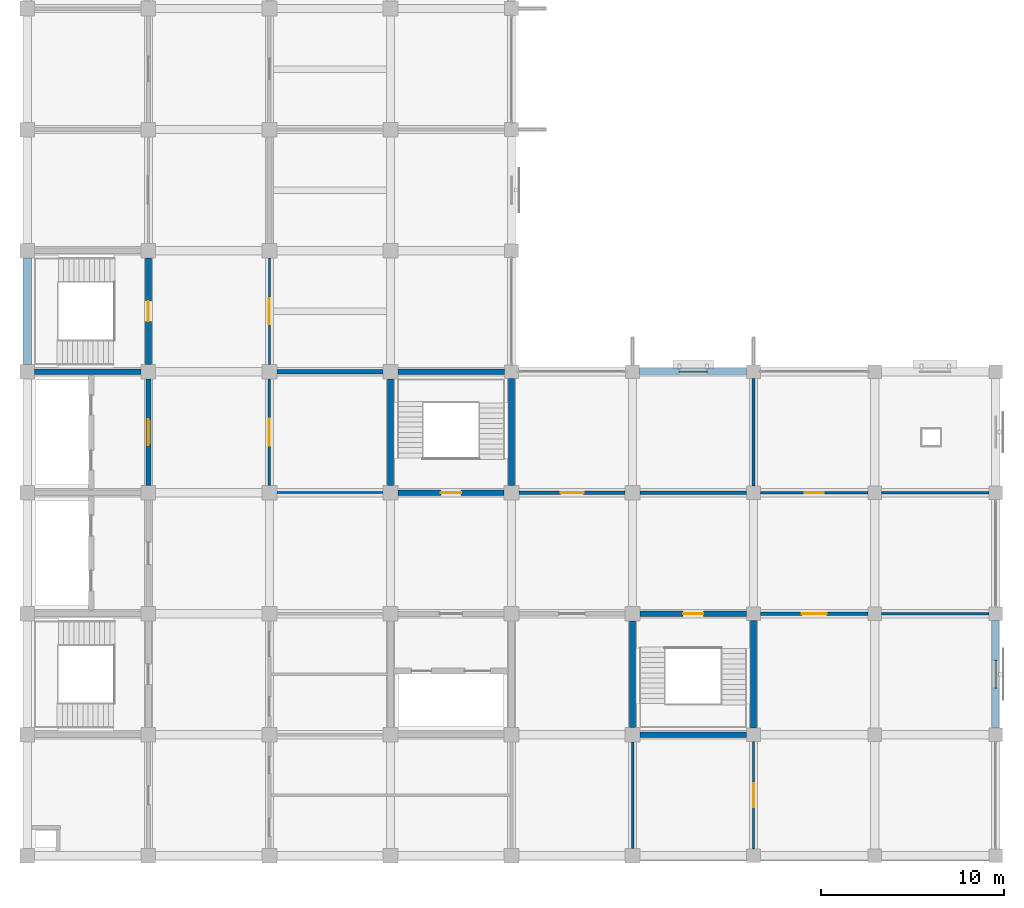
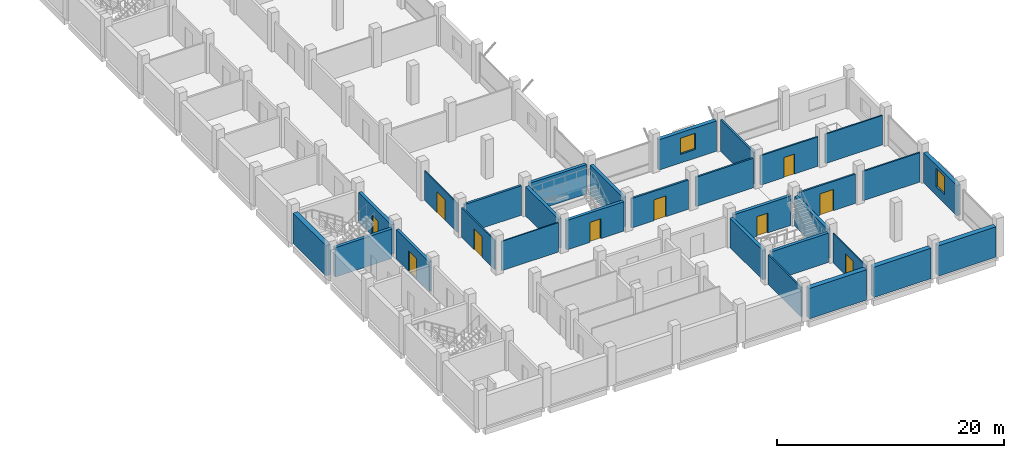
# One storey, part 11 of 18: 30 walls, 10 doors, 2 windows, 12 openings.
"""IFC4 building model written with IfcOpenShell, lengths in metres."""

from ifc_helpers import new_model, si_unit, direction, frame, frame_2d, origin, place, context, subcontext, project, spatial, rectangle, extrude, material, layer, layer_set, type_object, element, fill, save


model = new_model("IFC4")

# Units and contexts
model_context = context("Model", 3, precision=1e-05, world=origin(), true_north=direction((0.0, 1.0)))
body_context = subcontext(model_context, "Body", "Model", "MODEL_VIEW")
ifc_project = project(units=[si_unit("LENGTHUNIT", "METRE"), si_unit("AREAUNIT", "SQUARE_METRE"), si_unit("VOLUMEUNIT", "CUBIC_METRE"), si_unit("PLANEANGLEUNIT", "RADIAN"), si_unit("MASSUNIT", "GRAM", prefix="KILO")], contexts=[model_context])

# Site, building, storey
site_placement = place(None, origin())
site = spatial("IfcSite", under=ifc_project, at=site_placement, CompositionType="ELEMENT")
building_placement = place(site_placement, origin())
building = spatial("IfcBuilding", under=site, at=building_placement, Name="Rusizi Kubbe Research Institute", CompositionType="ELEMENT")
storey_placement = place(building_placement, frame((0.0, 0.0, 22.800048828125)))
storey = spatial("IfcBuildingStorey", under=building, at=storey_placement, Name="L05", CompositionType="ELEMENT", Elevation=22.800048828125)

# Wall
ifc_material_1 = material(Name="Concrete C45/55", Category="concrete")
ifc_layer_1 = layer(ifc_material_1, 0.31494140625)
ifc_layer_set_1 = layer_set([ifc_layer_1], Name="Concrete C45/55")
wall_type_1 = type_object("IfcWallType", Name="CRW-02", PredefinedType="SHEAR", material=ifc_layer_set_1)
wall_1_placement = place(storey_placement, frame((0.39990234375, 26.39990234375, 0.0), z_axis=(0.0, 0.0, 1.0), x_axis=(1.0, 0.0, 0.0)))
element("IfcWall", 1, at=wall_1_placement, inside=storey, type_object=wall_type_1, Name="Stair Core Shear Wall ST2 L05 S", PredefinedType="SHEAR", context=body_context, shape_type="SweptSolid", body=[
    extrude(rectangle(XDim=5.800048828125, YDim=0.31494140625, at=frame_2d((2.89990234375, 0.0))), origin(), (0.0, 0.0, 1.0), 3.169921875),
])

# Wall, opening, door
wall_2_placement = place(storey_placement, frame((6.60009765625, 26.800048828125, 0.0), z_axis=(0.0, 0.0, 1.0), x_axis=(0.0, 1.0, 0.0)))
wall_2 = element("IfcWall", 2, at=wall_2_placement, inside=storey, type_object=wall_type_1, Name="Stair Core Shear Wall ST2 L05 E", PredefinedType="SHEAR", context=body_context, shape_type="SweptSolid", body=[
    extrude(rectangle(XDim=5.800048828125, YDim=0.31494140625, at=frame_2d((2.89990234375, 0.0))), origin(), (0.0, 0.0, 1.0), 3.169921875),
])
opening_1_placement = place(wall_2_placement, frame((2.35009765625, 0.0, 0.0)))
opening_1 = element("IfcOpeningElement", 3, at=opening_1_placement, cuts=wall_2, Name="Opening D-01", PredefinedType="OPENING", context=body_context, shape_type="SweptSolid", body=[
    extrude(rectangle(XDim=1.10009765625, YDim=2.14990234375, at=frame_2d((0.550048828125, 1.074951171875))), frame((0.0, 0.16748046875, 0.0), z_axis=(0.0, -1.0, 0.0), x_axis=(1.0, 0.0, 0.0)), (0.0, 0.0, 1.0), 0.3349609375),
])
ifc_material_2 = material(Name="Fire-Rated Steel Frame and Acoustic Timber Leaf", Category="wood")
door_type_1 = type_object("IfcDoorType", Name="ID-STAIR-110", OperationType="NOTDEFINED", PredefinedType="DOOR", material=ifc_material_2)
door_1_placement = place(opening_1_placement, origin())
door_1 = element("IfcDoor", 4, at=door_1_placement, inside=storey, type_object=door_type_1, Name="Exit Stair Door ST2 L05", OperationType="SINGLE_SWING_LEFT", OverallHeight=2.14990234375, OverallWidth=1.10009765625, PredefinedType="DOOR", context=body_context, shape_type="SweptSolid", body=[
    extrude(rectangle(XDim=1.10009765625, YDim=2.14990234375, at=frame_2d((0.550048828125, 1.074951171875))), frame((0.0, 0.02490234375, 0.0), z_axis=(0.0, -1.0, 0.0), x_axis=(1.0, 0.0, 0.0)), (0.0, 0.0, 1.0), 0.050048828125),
])
fill(opening_1, door_1)

wall_3_placement = place(storey_placement, frame((20.199951171875, 19.800048828125, 0.0), z_axis=(0.0, 0.0, 1.0), x_axis=(1.0, 0.0, 0.0)))
wall_3 = element("IfcWall", 5, at=wall_3_placement, inside=storey, type_object=wall_type_1, Name="Stair Core Shear Wall ST3 L05 S", PredefinedType="SHEAR", context=body_context, shape_type="SweptSolid", body=[
    extrude(rectangle(XDim=5.800048828125, YDim=0.31494140625, at=frame_2d((2.89990234375, 0.0))), origin(), (0.0, 0.0, 1.0), 3.169921875),
])
opening_2_placement = place(wall_3_placement, frame((2.35009765625, 0.0, 0.0)))
opening_2 = element("IfcOpeningElement", 6, at=opening_2_placement, cuts=wall_3, Name="Opening D-01", PredefinedType="OPENING", context=body_context, shape_type="SweptSolid", body=[
    extrude(rectangle(XDim=1.10009765625, YDim=2.14990234375, at=frame_2d((0.550048828125, 1.074951171875))), frame((0.0, 0.16748046875, 0.0), z_axis=(0.0, -1.0, 0.0), x_axis=(1.0, 0.0, 0.0)), (0.0, 0.0, 1.0), 0.3349609375),
])
door_2_placement = place(opening_2_placement, origin())
door_2 = element("IfcDoor", 7, at=door_2_placement, inside=storey, type_object=door_type_1, Name="Exit Stair Door ST3 L05", OperationType="SINGLE_SWING_LEFT", OverallHeight=2.14990234375, OverallWidth=1.10009765625, PredefinedType="DOOR", context=body_context, shape_type="SweptSolid", body=[
    extrude(rectangle(XDim=1.10009765625, YDim=2.14990234375, at=frame_2d((0.550048828125, 1.074951171875))), frame((0.0, 0.02490234375, 0.0), z_axis=(0.0, -1.0, 0.0), x_axis=(1.0, 0.0, 0.0)), (0.0, 0.0, 1.0), 0.050048828125),
])
fill(opening_2, door_2)

# Walls
wall_4_placement = place(storey_placement, frame((20.199951171875, 26.39990234375, 0.0), z_axis=(0.0, 0.0, 1.0), x_axis=(1.0, 0.0, 0.0)))
element("IfcWall", 8, at=wall_4_placement, inside=storey, type_object=wall_type_1, Name="Stair Core Shear Wall ST3 L05 N", PredefinedType="SHEAR", context=body_context, shape_type="SweptSolid", body=[
    extrude(rectangle(XDim=5.824951171875, YDim=0.31494140625, at=frame_2d((2.91259765625, 0.0))), origin(), (0.0, 0.0, 1.0), 3.169921875),
])
wall_5_placement = place(storey_placement, frame((19.800048828125, 20.199951171875, 0.0), z_axis=(0.0, 0.0, 1.0), x_axis=(0.0, 1.0, 0.0)))
element("IfcWall", 9, at=wall_5_placement, inside=storey, type_object=wall_type_1, Name="Stair Core Shear Wall ST3 L05 W", PredefinedType="SHEAR", context=body_context, shape_type="SweptSolid", body=[
    extrude(rectangle(XDim=5.800048828125, YDim=0.31494140625, at=frame_2d((2.89990234375, 0.0))), origin(), (0.0, 0.0, 1.0), 3.169921875),
])
wall_6_placement = place(storey_placement, frame((26.39990234375, 20.199951171875, 0.0), z_axis=(0.0, 0.0, 1.0), x_axis=(0.0, 1.0, 0.0)))
element("IfcWall", 10, at=wall_6_placement, inside=storey, type_object=wall_type_1, Name="Stair Core Shear Wall ST3 L05 E", PredefinedType="SHEAR", context=body_context, shape_type="SweptSolid", body=[
    extrude(rectangle(XDim=5.824951171875, YDim=0.31494140625, at=frame_2d((2.91259765625, 0.0))), origin(), (0.0, 0.0, 1.0), 3.169921875),
])
wall_7_placement = place(storey_placement, frame((33.39990234375, 6.60009765625, 0.0), z_axis=(0.0, 0.0, 1.0), x_axis=(1.0, 0.0, 0.0)))
element("IfcWall", 11, at=wall_7_placement, inside=storey, type_object=wall_type_1, Name="Stair Core Shear Wall ST4 L05 S", PredefinedType="SHEAR", context=body_context, shape_type="SweptSolid", body=[
    extrude(rectangle(XDim=5.8251953125, YDim=0.31494140625, at=frame_2d((2.91259765625, 0.0))), origin(), (0.0, 0.0, 1.0), 3.169921875),
])

# Wall, opening, door
wall_8_placement = place(storey_placement, frame((33.39990234375, 13.199951171875, 0.0), z_axis=(0.0, 0.0, 1.0), x_axis=(1.0, 0.0, 0.0)))
wall_8 = element("IfcWall", 12, at=wall_8_placement, inside=storey, type_object=wall_type_1, Name="Stair Core Shear Wall ST4 L05 N", PredefinedType="SHEAR", context=body_context, shape_type="SweptSolid", body=[
    extrude(rectangle(XDim=5.8251953125, YDim=0.31494140625, at=frame_2d((2.91259765625, 0.0))), origin(), (0.0, 0.0, 1.0), 3.169921875),
])
opening_3_placement = place(wall_8_placement, frame((2.362548828125, 0.0, 0.0)))
opening_3 = element("IfcOpeningElement", 13, at=opening_3_placement, cuts=wall_8, Name="Opening D-01", PredefinedType="OPENING", context=body_context, shape_type="SweptSolid", body=[
    extrude(rectangle(XDim=1.10009765625, YDim=2.14990234375, at=frame_2d((0.550048828125, 1.074951171875))), frame((0.0, 0.16748046875, 0.0), z_axis=(0.0, -1.0, 0.0), x_axis=(1.0, 0.0, 0.0)), (0.0, 0.0, 1.0), 0.3349609375),
])
door_3_placement = place(opening_3_placement, origin())
door_3 = element("IfcDoor", 14, at=door_3_placement, inside=storey, type_object=door_type_1, Name="Exit Stair Door ST4 L05", OperationType="SINGLE_SWING_LEFT", OverallHeight=2.14990234375, OverallWidth=1.10009765625, PredefinedType="DOOR", context=body_context, shape_type="SweptSolid", body=[
    extrude(rectangle(XDim=1.10009765625, YDim=2.14990234375, at=frame_2d((0.550048828125, 1.074951171875))), frame((0.0, 0.02490234375, 0.0), z_axis=(0.0, -1.0, 0.0), x_axis=(1.0, 0.0, 0.0)), (0.0, 0.0, 1.0), 0.050048828125),
])
fill(opening_3, door_3)

# Walls
wall_9_placement = place(storey_placement, frame((33.0, 7.0, 0.0), z_axis=(0.0, 0.0, 1.0), x_axis=(0.0, 1.0, 0.0)))
element("IfcWall", 15, at=wall_9_placement, inside=storey, type_object=wall_type_1, Name="Stair Core Shear Wall ST4 L05 W", PredefinedType="SHEAR", context=body_context, shape_type="SweptSolid", body=[
    extrude(rectangle(XDim=5.800048828125, YDim=0.31494140625, at=frame_2d((2.89990234375, 0.0))), origin(), (0.0, 0.0, 1.0), 3.169921875),
])
wall_10_placement = place(storey_placement, frame((39.60009765625, 6.97509765625, 0.0), z_axis=(0.0, 0.0, 1.0), x_axis=(0.0, 1.0, 0.0)))
element("IfcWall", 16, at=wall_10_placement, inside=storey, type_object=wall_type_1, Name="Stair Core Shear Wall ST4 L05 E", PredefinedType="SHEAR", context=body_context, shape_type="SweptSolid", body=[
    extrude(rectangle(XDim=5.849853515625, YDim=0.31494140625, at=frame_2d((2.9248046875, 0.0))), origin(), (0.0, 0.0, 1.0), 3.169921875),
])

# Wall, opening, window
ifc_material_3 = material(Name="Volcanic Basalt Ashlar Masonry", Category="masonry")
ifc_layer_2 = layer(ifc_material_3, 0.385009765625)
ifc_layer_set_2 = layer_set([ifc_layer_2], Name="Volcanic Basalt Ashlar Masonry")
wall_type_2 = type_object("IfcWallType", Name="EW-04", PredefinedType="SOLIDWALL", material=ifc_layer_set_2)
wall_11_placement = place(storey_placement, frame((33.375, 26.39990234375, 0.0), z_axis=(0.0, 0.0, 1.0), x_axis=(1.0, 0.0, 0.0)))
wall_11 = element("IfcWall", 17, at=wall_11_placement, inside=storey, type_object=wall_type_2, Name="Ablaq Stone Exterior Wall L05 H5-4", PredefinedType="SOLIDWALL", context=body_context, shape_type="SweptSolid", body=[
    extrude(rectangle(XDim=5.85009765625, YDim=0.385009765625, at=frame_2d((2.925048828125, 0.0))), origin(), (0.0, 0.0, 1.0), 3.27001953125),
])
opening_4_placement = place(wall_11_placement, frame((2.1650390625, 0.0, 0.949951171875)))
opening_4 = element("IfcOpeningElement", 18, at=opening_4_placement, cuts=wall_11, Name="Opening WN-19", PredefinedType="OPENING", context=body_context, shape_type="SweptSolid", body=[
    extrude(rectangle(XDim=1.52001953125, YDim=1.739990234375, at=frame_2d((0.760009765625, 0.8701171875))), frame((0.0, 0.202392578125, 0.0), z_axis=(0.0, -1.0, 0.0), x_axis=(1.0, 0.0, 0.0)), (0.0, 0.0, 1.0), 0.405029296875),
])
ifc_material_4 = material(Name="Aluminium Frame and Solar-Control Double Glazing", Category="glass")
window_type_1 = type_object("IfcWindowType", Name="WN-19", PartitioningType="DOUBLE_PANEL_VERTICAL", PredefinedType="WINDOW", material=ifc_material_4)
window_1_placement = place(opening_4_placement, origin())
window_1 = element("IfcWindow", 19, at=window_1_placement, inside=storey, type_object=window_type_1, Name="Casement Window WN-19 L05", OverallHeight=1.739990234375, OverallWidth=1.52001953125, PartitioningType="DOUBLE_PANEL_VERTICAL", PredefinedType="WINDOW", context=body_context, shape_type="SweptSolid", body=[
    extrude(rectangle(XDim=1.52001953125, YDim=1.739990234375, at=frame_2d((0.760009765625, 0.8701171875))), frame((0.0, 0.030029296875, 0.0), z_axis=(0.0, -1.0, 0.0), x_axis=(1.0, 0.0, 0.0)), (0.0, 0.0, 1.0), 0.06005859375),
])
fill(opening_4, window_1)

wall_12_placement = place(storey_placement, frame((52.800048828125, 6.97509765625, 0.0), z_axis=(0.0, 0.0, 1.0), x_axis=(0.0, 1.0, 0.0)))
wall_12 = element("IfcWall", 20, at=wall_12_placement, inside=storey, type_object=wall_type_2, Name="Ablaq Stone Exterior Wall L05 V8-1", PredefinedType="SOLIDWALL", context=body_context, shape_type="SweptSolid", body=[
    extrude(rectangle(XDim=5.849853515625, YDim=0.385009765625, at=frame_2d((2.9248046875, 0.0))), origin(), (0.0, 0.0, 1.0), 3.27001953125),
])
opening_5_placement = place(wall_12_placement, frame((2.1650390625, 0.0, 0.949951171875)))
opening_5 = element("IfcOpeningElement", 21, at=opening_5_placement, cuts=wall_12, Name="Opening WN-20", PredefinedType="OPENING", context=body_context, shape_type="SweptSolid", body=[
    extrude(rectangle(XDim=1.52001953125, YDim=1.9599609375, at=frame_2d((0.760009765625, 0.97998046875))), frame((0.0, 0.202392578125, 0.0), z_axis=(0.0, -1.0, 0.0), x_axis=(1.0, 0.0, 0.0)), (0.0, 0.0, 1.0), 0.405029296875),
])
ifc_material_5 = material(Name="Aluminium Frame and Solar-Control Double Glazing", Category="glass")
window_type_2 = type_object("IfcWindowType", Name="WN-20", PartitioningType="DOUBLE_PANEL_VERTICAL", PredefinedType="WINDOW", material=ifc_material_5)
window_2_placement = place(opening_5_placement, origin())
window_2 = element("IfcWindow", 22, at=window_2_placement, inside=storey, type_object=window_type_2, Name="Casement Window WN-20 L05", OverallHeight=1.9599609375, OverallWidth=1.52001953125, PartitioningType="DOUBLE_PANEL_VERTICAL", PredefinedType="WINDOW", context=body_context, shape_type="SweptSolid", body=[
    extrude(rectangle(XDim=1.52001953125, YDim=1.9599609375, at=frame_2d((0.760009765625, 0.97998046875))), frame((0.0, 0.030029296875, 0.0), z_axis=(0.0, -1.0, 0.0), x_axis=(1.0, 0.0, 0.0)), (0.0, 0.0, 1.0), 0.06005859375),
])
fill(opening_5, window_2)

# Wall
ifc_material_6 = material(Name="Concrete Blockwork Fire Partition", Category="masonry")
ifc_layer_3 = layer(ifc_material_6, 0.22509765625)
ifc_layer_set_3 = layer_set([ifc_layer_3], Name="Concrete Blockwork Fire Partition")
wall_type_3 = type_object("IfcWallType", Name="IW-01", PredefinedType="PARTITIONING", material=ifc_layer_set_3)
wall_13_placement = place(storey_placement, frame((13.60009765625, 26.39990234375, 0.0), z_axis=(0.0, 0.0, 1.0), x_axis=(1.0, 0.0, 0.0)))
element("IfcWall", 23, at=wall_13_placement, inside=storey, type_object=wall_type_3, Name="Interior Partition Wall L05 H2-4", PredefinedType="PARTITIONING", context=body_context, shape_type="SweptSolid", body=[
    extrude(rectangle(XDim=5.7998046875, YDim=0.22509765625, at=frame_2d((2.89990234375, 0.0))), origin(), (0.0, 0.0, 1.0), 3.169921875),
])

# Wall, opening, door
ifc_material_7 = material(Name="Insulated Cleanroom Partition", Category="masonry")
ifc_layer_4 = layer(ifc_material_7, 0.195068359375)
ifc_layer_set_4 = layer_set([ifc_layer_4], Name="Insulated Cleanroom Partition")
wall_type_4 = type_object("IfcWallType", Name="IW-02", PredefinedType="PARTITIONING", material=ifc_layer_set_4)
wall_14_placement = place(storey_placement, frame((26.800048828125, 19.800048828125, 0.0), z_axis=(0.0, 0.0, 1.0), x_axis=(1.0, 0.0, 0.0)))
wall_14 = element("IfcWall", 24, at=wall_14_placement, inside=storey, type_object=wall_type_4, Name="Interior Partition Wall L05 H4-3", PredefinedType="PARTITIONING", context=body_context, shape_type="SweptSolid", body=[
    extrude(rectangle(XDim=5.800048828125, YDim=0.195068359375, at=frame_2d((2.89990234375, 0.0))), origin(), (0.0, 0.0, 1.0), 3.169921875),
])
opening_6_placement = place(wall_14_placement, frame((2.27490234375, 0.0, 0.0)))
opening_6 = element("IfcOpeningElement", 25, at=opening_6_placement, cuts=wall_14, Name="Opening D-15", PredefinedType="OPENING", context=body_context, shape_type="SweptSolid", body=[
    extrude(rectangle(XDim=1.25, YDim=2.25, at=frame_2d((0.625, 1.125))), frame((0.0, 0.107421875, 0.0), z_axis=(0.0, -1.0, 0.0), x_axis=(1.0, 0.0, 0.0)), (0.0, 0.0, 1.0), 0.215087890625),
])
ifc_material_8 = material(Name="Fire-Rated Steel Frame and Acoustic Timber Leaf", Category="wood")
door_type_2 = type_object("IfcDoorType", Name="ID-LAB-125", OperationType="NOTDEFINED", PredefinedType="DOOR", material=ifc_material_8)
door_4_placement = place(opening_6_placement, origin())
door_4 = element("IfcDoor", 26, at=door_4_placement, inside=storey, type_object=door_type_2, Name="Door to Molecular Diagnostics Laboratory (L05-EWN-01)", OperationType="SINGLE_SWING_LEFT", OverallHeight=2.25, OverallWidth=1.25, PredefinedType="DOOR", context=body_context, shape_type="SweptSolid", body=[
    extrude(rectangle(XDim=1.25, YDim=2.25, at=frame_2d((0.625, 1.125))), frame((0.0, 0.02490234375, 0.0), z_axis=(0.0, -1.0, 0.0), x_axis=(1.0, 0.0, 0.0)), (0.0, 0.0, 1.0), 0.050048828125),
])
fill(opening_6, door_4)

# Walls
ifc_material_9 = material(Name="Acoustic Laboratory Partition", Category="masonry")
ifc_layer_5 = layer(ifc_material_9, 0.175048828125)
ifc_layer_set_5 = layer_set([ifc_layer_5], Name="Acoustic Laboratory Partition")
wall_type_5 = type_object("IfcWallType", Name="IW-03", PredefinedType="PARTITIONING", material=ifc_layer_set_5)
wall_15_placement = place(storey_placement, frame((33.39990234375, 19.800048828125, 0.0), z_axis=(0.0, 0.0, 1.0), x_axis=(1.0, 0.0, 0.0)))
element("IfcWall", 27, at=wall_15_placement, inside=storey, type_object=wall_type_5, Name="Interior Partition Wall L05 H5-3", PredefinedType="PARTITIONING", context=body_context, shape_type="SweptSolid", body=[
    extrude(rectangle(XDim=5.8251953125, YDim=0.175048828125, at=frame_2d((2.91259765625, 0.0))), origin(), (0.0, 0.0, 1.0), 3.169921875),
])
wall_16_placement = place(storey_placement, frame((39.60009765625, 20.175048828125, 0.0), z_axis=(0.0, 0.0, 1.0), x_axis=(0.0, 1.0, 0.0)))
element("IfcWall", 28, at=wall_16_placement, inside=storey, type_object=wall_type_5, Name="Interior Partition Wall L05 V6-3", PredefinedType="PARTITIONING", context=body_context, shape_type="SweptSolid", body=[
    extrude(rectangle(XDim=5.849853515625, YDim=0.175048828125, at=frame_2d((2.9248046875, 0.0))), origin(), (0.0, 0.0, 1.0), 3.419921875),
])

# Wall, opening, door
wall_17_placement = place(storey_placement, frame((39.97509765625, 13.199951171875, 0.0), z_axis=(0.0, 0.0, 1.0), x_axis=(1.0, 0.0, 0.0)))
wall_17 = element("IfcWall", 29, at=wall_17_placement, inside=storey, type_object=wall_type_5, Name="Interior Partition Wall L05 H6-2", PredefinedType="PARTITIONING", context=body_context, shape_type="SweptSolid", body=[
    extrude(rectangle(XDim=5.849853515625, YDim=0.175048828125, at=frame_2d((2.9248046875, 0.0))), origin(), (0.0, 0.0, 1.0), 3.169921875),
])
opening_7_placement = place(wall_17_placement, frame((2.25, 0.0, 0.0)))
opening_7 = element("IfcOpeningElement", 30, at=opening_7_placement, cuts=wall_17, Name="Opening D-13", PredefinedType="OPENING", context=body_context, shape_type="SweptSolid", body=[
    extrude(rectangle(XDim=1.35009765625, YDim=2.300048828125, at=frame_2d((0.675048828125, 1.14990234375))), frame((0.0, 0.097412109375, 0.0), z_axis=(0.0, -1.0, 0.0), x_axis=(1.0, 0.0, 0.0)), (0.0, 0.0, 1.0), 0.195068359375),
])
ifc_material_10 = material(Name="Fire-Rated Steel Frame and Acoustic Timber Leaf", Category="wood")
door_type_3 = type_object("IfcDoorType", Name="ID-LAB-135", OperationType="NOTDEFINED", PredefinedType="DOOR", material=ifc_material_10)
door_5_placement = place(opening_7_placement, origin())
door_5 = element("IfcDoor", 31, at=door_5_placement, inside=storey, type_object=door_type_3, Name="Door to Catalysis Wet Laboratory (L05-EWS-02)", OperationType="SINGLE_SWING_LEFT", OverallHeight=2.300048828125, OverallWidth=1.35009765625, PredefinedType="DOOR", context=body_context, shape_type="SweptSolid", body=[
    extrude(rectangle(XDim=1.35009765625, YDim=2.300048828125, at=frame_2d((0.675048828125, 1.14990234375))), frame((0.0, 0.02490234375, 0.0), z_axis=(0.0, -1.0, 0.0), x_axis=(1.0, 0.0, 0.0)), (0.0, 0.0, 1.0), 0.050048828125),
])
fill(opening_7, door_5)

ifc_material_11 = material(Name="Fire-Rated Corridor Partition", Category="masonry")
ifc_layer_6 = layer(ifc_material_11, 0.155029296875)
ifc_layer_set_6 = layer_set([ifc_layer_6], Name="Fire-Rated Corridor Partition")
wall_type_6 = type_object("IfcWallType", Name="IW-04", PredefinedType="PARTITIONING", material=ifc_layer_set_6)
wall_18_placement = place(storey_placement, frame((39.97509765625, 19.800048828125, 0.0), z_axis=(0.0, 0.0, 1.0), x_axis=(1.0, 0.0, 0.0)))
wall_18 = element("IfcWall", 32, at=wall_18_placement, inside=storey, type_object=wall_type_6, Name="Interior Partition Wall L05 H6-3", PredefinedType="PARTITIONING", context=body_context, shape_type="SweptSolid", body=[
    extrude(rectangle(XDim=5.849853515625, YDim=0.155029296875, at=frame_2d((2.9248046875, 0.0))), origin(), (0.0, 0.0, 1.0), 3.169921875),
])
opening_8_placement = place(wall_18_placement, frame((2.39990234375, 0.0, 0.0)))
opening_8 = element("IfcOpeningElement", 33, at=opening_8_placement, cuts=wall_18, Name="Opening D-16", PredefinedType="OPENING", context=body_context, shape_type="SweptSolid", body=[
    extrude(rectangle(XDim=1.050048828125, YDim=2.14990234375, at=frame_2d((0.52490234375, 1.074951171875))), frame((0.0, 0.08740234375, 0.0), z_axis=(0.0, -1.0, 0.0), x_axis=(1.0, 0.0, 0.0)), (0.0, 0.0, 1.0), 0.175048828125),
])
ifc_material_12 = material(Name="Fire-Rated Steel Frame and Acoustic Timber Leaf", Category="wood")
door_type_4 = type_object("IfcDoorType", Name="ID-OFF-105", OperationType="NOTDEFINED", PredefinedType="DOOR", material=ifc_material_12)
door_6_placement = place(opening_8_placement, origin())
door_6 = element("IfcDoor", 34, at=door_6_placement, inside=storey, type_object=door_type_4, Name="Door to Write-up Office (L05-EWN-02)", OperationType="SINGLE_SWING_LEFT", OverallHeight=2.14990234375, OverallWidth=1.050048828125, PredefinedType="DOOR", context=body_context, shape_type="SweptSolid", body=[
    extrude(rectangle(XDim=1.050048828125, YDim=2.14990234375, at=frame_2d((0.52490234375, 1.074951171875))), frame((0.0, 0.02490234375, 0.0), z_axis=(0.0, -1.0, 0.0), x_axis=(1.0, 0.0, 0.0)), (0.0, 0.0, 1.0), 0.050048828125),
])
fill(opening_8, door_6)

# Wall
wall_19_placement = place(storey_placement, frame((46.574951171875, 13.199951171875, 0.0), z_axis=(0.0, 0.0, 1.0), x_axis=(1.0, 0.0, 0.0)))
element("IfcWall", 35, at=wall_19_placement, inside=storey, type_object=wall_type_6, Name="Interior Partition Wall L05 H7-2", PredefinedType="PARTITIONING", context=body_context, shape_type="SweptSolid", body=[
    extrude(rectangle(XDim=5.85009765625, YDim=0.155029296875, at=frame_2d((2.925048828125, 0.0))), origin(), (0.0, 0.0, 1.0), 3.169921875),
])

# Wall, opening, door
ifc_material_13 = material(Name="Write-up Glazed Acoustic Partition", Category="masonry")
ifc_layer_7 = layer(ifc_material_13, 0.139892578125)
ifc_layer_set_7 = layer_set([ifc_layer_7], Name="Write-up Glazed Acoustic Partition")
wall_type_7 = type_object("IfcWallType", Name="IW-05", PredefinedType="PARTITIONING", material=ifc_layer_set_7)
wall_20_placement = place(storey_placement, frame((13.199951171875, 20.199951171875, 0.0), z_axis=(0.0, 0.0, 1.0), x_axis=(0.0, 1.0, 0.0)))
wall_20 = element("IfcWall", 36, at=wall_20_placement, inside=storey, type_object=wall_type_7, Name="Interior Partition Wall L05 V2-3", PredefinedType="PARTITIONING", context=body_context, shape_type="SweptSolid", body=[
    extrude(rectangle(XDim=5.800048828125, YDim=0.139892578125, at=frame_2d((2.89990234375, 0.0))), origin(), (0.0, 0.0, 1.0), 3.169921875),
])
opening_9_placement = place(wall_20_placement, frame((2.175048828125, 0.0, 0.0)))
opening_9 = element("IfcOpeningElement", 37, at=opening_9_placement, cuts=wall_20, Name="Opening D-11", PredefinedType="OPENING", context=body_context, shape_type="SweptSolid", body=[
    extrude(rectangle(XDim=1.449951171875, YDim=2.25, at=frame_2d((0.72509765625, 1.125))), frame((0.0, 0.079833984375, 0.0), z_axis=(0.0, -1.0, 0.0), x_axis=(1.0, 0.0, 0.0)), (0.0, 0.0, 1.0), 0.159912109375),
])
ifc_material_14 = material(Name="Fire-Rated Steel Frame and Acoustic Timber Leaf", Category="wood")
door_type_5 = type_object("IfcDoorType", Name="ID-LAB-145", OperationType="NOTDEFINED", PredefinedType="DOOR", material=ifc_material_14)
door_7_placement = place(opening_9_placement, origin())
door_7 = element("IfcDoor", 38, at=door_7_placement, inside=storey, type_object=door_type_5, Name="Door to Bioscience Wet Laboratory (L05-NW-01)", OperationType="SINGLE_SWING_LEFT", OverallHeight=2.25, OverallWidth=1.449951171875, PredefinedType="DOOR", context=body_context, shape_type="SweptSolid", body=[
    extrude(rectangle(XDim=1.449951171875, YDim=2.25, at=frame_2d((0.72509765625, 1.125))), frame((0.0, 0.02490234375, 0.0), z_axis=(0.0, -1.0, 0.0), x_axis=(1.0, 0.0, 0.0)), (0.0, 0.0, 1.0), 0.050048828125),
])
fill(opening_9, door_7)

# Walls
wall_21_placement = place(storey_placement, frame((33.0, 0.39990234375, 0.0), z_axis=(0.0, 0.0, 1.0), x_axis=(0.0, 1.0, 0.0)))
element("IfcWall", 39, at=wall_21_placement, inside=storey, type_object=wall_type_7, Name="Interior Partition Wall L05 V5-0", PredefinedType="PARTITIONING", context=body_context, shape_type="SweptSolid", body=[
    extrude(rectangle(XDim=5.800048828125, YDim=0.139892578125, at=frame_2d((2.89990234375, 0.0))), origin(), (0.0, 0.0, 1.0), 3.169921875),
])
wall_22_placement = place(storey_placement, frame((46.574951171875, 19.800048828125, 0.0), z_axis=(0.0, 0.0, 1.0), x_axis=(1.0, 0.0, 0.0)))
element("IfcWall", 40, at=wall_22_placement, inside=storey, type_object=wall_type_7, Name="Interior Partition Wall L05 H7-3", PredefinedType="PARTITIONING", context=body_context, shape_type="SweptSolid", body=[
    extrude(rectangle(XDim=5.85009765625, YDim=0.139892578125, at=frame_2d((2.925048828125, 0.0))), origin(), (0.0, 0.0, 1.0), 3.169921875),
])

# Wall, opening, door
ifc_material_15 = material(Name="Sub-Suite Fire Partition", Category="masonry")
ifc_layer_8 = layer(ifc_material_15, 0.110107421875)
ifc_layer_set_8 = layer_set([ifc_layer_8], Name="Sub-Suite Fire Partition")
wall_type_8 = type_object("IfcWallType", Name="IW-07", PredefinedType="PARTITIONING", material=ifc_layer_set_8)
wall_23_placement = place(storey_placement, frame((13.199951171875, 26.800048828125, 0.0), z_axis=(0.0, 0.0, 1.0), x_axis=(0.0, 1.0, 0.0)))
wall_23 = element("IfcWall", 41, at=wall_23_placement, inside=storey, type_object=wall_type_8, Name="Interior Partition Wall L05 V2-4", PredefinedType="PARTITIONING", context=body_context, shape_type="SweptSolid", body=[
    extrude(rectangle(XDim=5.800048828125, YDim=0.110107421875, at=frame_2d((2.89990234375, 0.0))), origin(), (0.0, 0.0, 1.0), 3.169921875),
])
opening_10_placement = place(wall_23_placement, frame((2.199951171875, 0.0, 0.0)))
opening_10 = element("IfcOpeningElement", 42, at=opening_10_placement, cuts=wall_23, Name="Opening D-12", PredefinedType="OPENING", context=body_context, shape_type="SweptSolid", body=[
    extrude(rectangle(XDim=1.39990234375, YDim=2.25, at=frame_2d((0.699951171875, 1.125))), frame((0.0, 0.06494140625, 0.0), z_axis=(0.0, -1.0, 0.0), x_axis=(1.0, 0.0, 0.0)), (0.0, 0.0, 1.0), 0.130126953125),
])
ifc_material_16 = material(Name="Fire-Rated Steel Frame and Acoustic Timber Leaf", Category="wood")
door_type_6 = type_object("IfcDoorType", Name="ID-LAB-140", OperationType="NOTDEFINED", PredefinedType="DOOR", material=ifc_material_16)
door_8_placement = place(opening_10_placement, origin())
door_8 = element("IfcDoor", 43, at=door_8_placement, inside=storey, type_object=door_type_6, Name="Door to Computational Dry Laboratory (L05-NW-02)", OperationType="SINGLE_SWING_RIGHT", OverallHeight=2.25, OverallWidth=1.39990234375, PredefinedType="DOOR", context=body_context, shape_type="SweptSolid", body=[
    extrude(rectangle(XDim=1.39990234375, YDim=2.25, at=frame_2d((0.699951171875, 1.125))), frame((0.0, 0.02490234375, 0.0), z_axis=(0.0, -1.0, 0.0), x_axis=(1.0, 0.0, 0.0)), (0.0, 0.0, 1.0), 0.050048828125),
])
fill(opening_10, door_8)

# Wall
wall_24_placement = place(storey_placement, frame((13.60009765625, 19.800048828125, 0.0), z_axis=(0.0, 0.0, 1.0), x_axis=(1.0, 0.0, 0.0)))
element("IfcWall", 44, at=wall_24_placement, inside=storey, type_object=wall_type_8, Name="Interior Partition Wall L05 H2-3", PredefinedType="PARTITIONING", context=body_context, shape_type="SweptSolid", body=[
    extrude(rectangle(XDim=5.7998046875, YDim=0.110107421875, at=frame_2d((2.89990234375, 0.0))), origin(), (0.0, 0.0, 1.0), 3.169921875),
])

# Wall, opening, door
wall_25_placement = place(storey_placement, frame((39.60009765625, 0.375, 0.0), z_axis=(0.0, 0.0, 1.0), x_axis=(0.0, 1.0, 0.0)))
wall_25 = element("IfcWall", 45, at=wall_25_placement, inside=storey, type_object=wall_type_8, Name="Interior Partition Wall L05 V6-0", PredefinedType="PARTITIONING", context=body_context, shape_type="SweptSolid", body=[
    extrude(rectangle(XDim=5.85009765625, YDim=0.110107421875, at=frame_2d((2.925048828125, 0.0))), origin(), (0.0, 0.0, 1.0), 3.169921875),
])
opening_11_placement = place(wall_25_placement, frame((2.27490234375, 0.0, 0.0)))
opening_11 = element("IfcOpeningElement", 46, at=opening_11_placement, cuts=wall_25, Name="Opening D-14", PredefinedType="OPENING", context=body_context, shape_type="SweptSolid", body=[
    extrude(rectangle(XDim=1.300048828125, YDim=2.300048828125, at=frame_2d((0.64990234375, 1.14990234375))), frame((0.0, 0.06494140625, 0.0), z_axis=(0.0, -1.0, 0.0), x_axis=(1.0, 0.0, 0.0)), (0.0, 0.0, 1.0), 0.130126953125),
])
ifc_material_17 = material(Name="Fire-Rated Steel Frame and Acoustic Timber Leaf", Category="wood")
door_type_7 = type_object("IfcDoorType", Name="ID-LAB-130", OperationType="NOTDEFINED", PredefinedType="DOOR", material=ifc_material_17)
door_9_placement = place(opening_11_placement, origin())
door_9 = element("IfcDoor", 47, at=door_9_placement, inside=storey, type_object=door_type_7, Name="Door to Laboratory Instrument Support Room (L05-EWU-05)", OperationType="SINGLE_SWING_RIGHT", OverallHeight=2.300048828125, OverallWidth=1.300048828125, PredefinedType="DOOR", context=body_context, shape_type="SweptSolid", body=[
    extrude(rectangle(XDim=1.300048828125, YDim=2.300048828125, at=frame_2d((0.64990234375, 1.14990234375))), frame((0.0, 0.02490234375, 0.0), z_axis=(0.0, -1.0, 0.0), x_axis=(1.0, 0.0, 0.0)), (0.0, 0.0, 1.0), 0.050048828125),
])
fill(opening_11, door_9)

# Walls
ifc_material_18 = material(Name="Concrete C40/50", Category="concrete")
ifc_layer_9 = layer(ifc_material_18, 0.47998046875)
ifc_layer_set_9 = layer_set([ifc_layer_9], Name="Concrete C40/50")
wall_type_9 = type_object("IfcWallType", Name="PW-01", PredefinedType="SOLIDWALL", material=ifc_layer_set_9)
wall_26_placement = place(storey_placement, frame((0.0, 26.800048828125, 0.0), z_axis=(0.0, 0.0, 1.0), x_axis=(0.0, 1.0, 0.0)))
element("IfcWall", 48, at=wall_26_placement, inside=storey, type_object=wall_type_9, Name="Blind Party Wall L05 V0-4", PredefinedType="SOLIDWALL", context=body_context, shape_type="SweptSolid", body=[
    extrude(rectangle(XDim=5.800048828125, YDim=0.47998046875, at=frame_2d((2.89990234375, 0.0))), origin(), (0.0, 0.0, 1.0), 3.27001953125),
])
wall_27_placement = place(storey_placement, frame((33.39990234375, 0.0, 0.0), z_axis=(0.0, 0.0, 1.0), x_axis=(1.0, 0.0, 0.0)))
element("IfcWall", 49, at=wall_27_placement, inside=storey, type_object=wall_type_9, Name="Blind Party Wall L05 H5-0", PredefinedType="SOLIDWALL", context=body_context, shape_type="SweptSolid", body=[
    extrude(rectangle(XDim=5.8251953125, YDim=0.47998046875, at=frame_2d((2.91259765625, 0.0))), origin(), (0.0, 0.0, 1.0), 3.27001953125),
])
wall_28_placement = place(storey_placement, frame((39.97509765625, 0.0, 0.0), z_axis=(0.0, 0.0, 1.0), x_axis=(1.0, 0.0, 0.0)))
element("IfcWall", 50, at=wall_28_placement, inside=storey, type_object=wall_type_9, Name="Blind Party Wall L05 H6-0", PredefinedType="SOLIDWALL", context=body_context, shape_type="SweptSolid", body=[
    extrude(rectangle(XDim=5.849853515625, YDim=0.47998046875, at=frame_2d((2.9248046875, 0.0))), origin(), (0.0, 0.0, 1.0), 3.27001953125),
])
wall_29_placement = place(storey_placement, frame((46.574951171875, 0.0, 0.0), z_axis=(0.0, 0.0, 1.0), x_axis=(1.0, 0.0, 0.0)))
element("IfcWall", 51, at=wall_29_placement, inside=storey, type_object=wall_type_9, Name="Blind Party Wall L05 H7-0", PredefinedType="SOLIDWALL", context=body_context, shape_type="SweptSolid", body=[
    extrude(rectangle(XDim=5.85009765625, YDim=0.47998046875, at=frame_2d((2.925048828125, 0.0))), origin(), (0.0, 0.0, 1.0), 3.27001953125),
])

# Wall, opening, door
ifc_material_19 = material(Name="Concrete C40/50", Category="concrete")
ifc_layer_10 = layer(ifc_material_19, 0.27490234375)
ifc_layer_set_10 = layer_set([ifc_layer_10], Name="Concrete C40/50")
wall_type_10 = type_object("IfcWallType", Name="SHW-01", PredefinedType="SHEAR", material=ifc_layer_set_10)
wall_30_placement = place(storey_placement, frame((6.60009765625, 20.199951171875, 0.0), z_axis=(0.0, 0.0, 1.0), x_axis=(0.0, 1.0, 0.0)))
wall_30 = element("IfcWall", 52, at=wall_30_placement, inside=storey, type_object=wall_type_10, Name="Passenger Lift Lobby Wall L05", PredefinedType="SHEAR", context=body_context, shape_type="SweptSolid", body=[
    extrude(rectangle(XDim=5.800048828125, YDim=0.27490234375, at=frame_2d((2.89990234375, 0.0))), origin(), (0.0, 0.0, 1.0), 3.169921875),
])
opening_12_placement = place(wall_30_placement, frame((2.18994140625, 0.0, 0.0)))
opening_12 = element("IfcOpeningElement", 53, at=opening_12_placement, cuts=wall_30, Name="Opening D-22", PredefinedType="OPENING", context=body_context, shape_type="SweptSolid", body=[
    extrude(rectangle(XDim=1.419921875, YDim=2.199951171875, at=frame_2d((0.7099609375, 1.10009765625))), frame((0.0, 0.1474609375, 0.0), z_axis=(0.0, -1.0, 0.0), x_axis=(1.0, 0.0, 0.0)), (0.0, 0.0, 1.0), 0.294921875),
])
ifc_material_20 = material(Name="Fire-Rated Steel Frame and Acoustic Timber Leaf", Category="wood")
door_type_8 = type_object("IfcDoorType", Name="ID-STR-142", OperationType="DOUBLE_DOOR_SINGLE_SWING", PredefinedType="DOOR", material=ifc_material_20)
door_10_placement = place(opening_12_placement, origin())
door_10 = element("IfcDoor", 54, at=door_10_placement, inside=storey, type_object=door_type_8, Name="Door to Passenger Lift Lobby (L05-LBY-01)", OperationType="DOUBLE_DOOR_SINGLE_SWING", OverallHeight=2.199951171875, OverallWidth=1.419921875, PredefinedType="DOOR", context=body_context, shape_type="SweptSolid", body=[
    extrude(rectangle(XDim=1.419921875, YDim=2.199951171875, at=frame_2d((0.7099609375, 1.10009765625))), frame((0.0, 0.02490234375, 0.0), z_axis=(0.0, -1.0, 0.0), x_axis=(1.0, 0.0, 0.0)), (0.0, 0.0, 1.0), 0.050048828125),
])
fill(opening_12, door_10)

save(model, "model.ifc")
